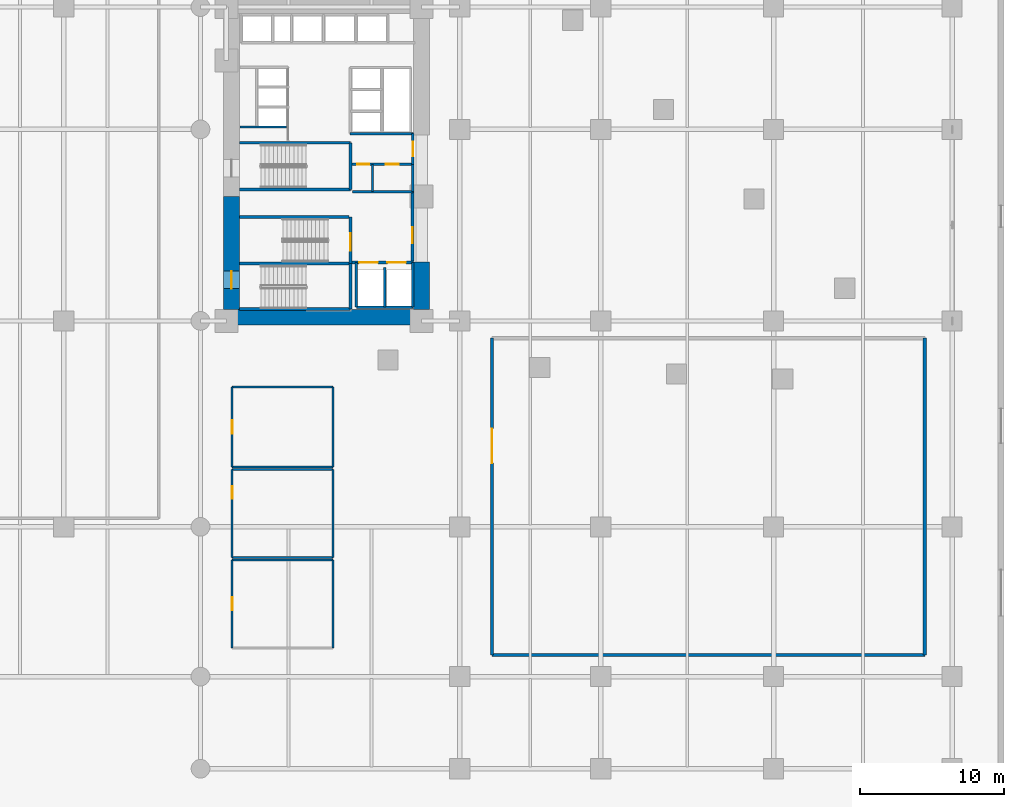
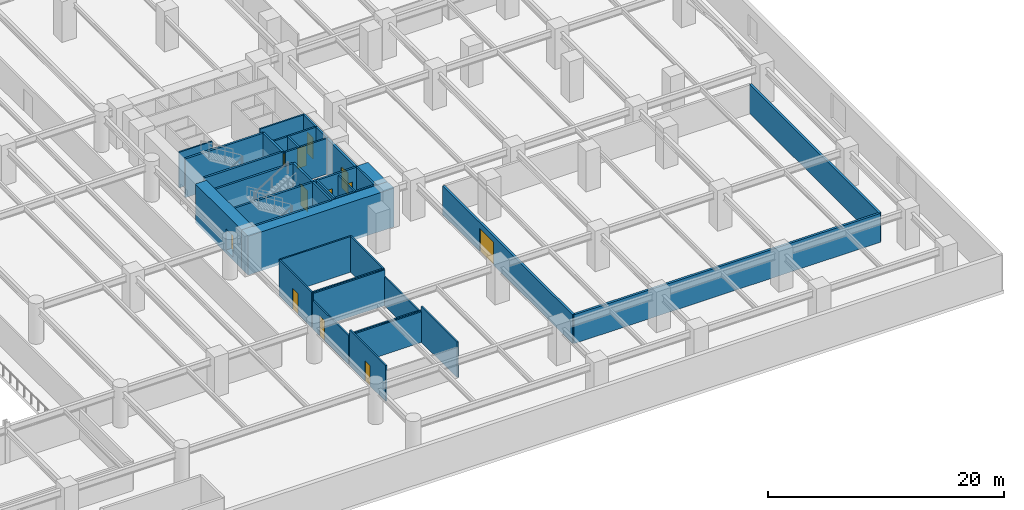
# One storey, part 10 of 20: 38 walls, 12 doors, 12 openings.
"""IFC4 building model written with IfcOpenShell, lengths in metres."""

from ifc_helpers import new_model, si_unit, direction, frame, frame_2d, origin, place, context, subcontext, project, spatial, rectangle, extrude, material, layer, layer_set, type_object, element, fill, save


model = new_model("IFC4")

# Units and contexts
model_context = context("Model", 3, precision=1e-05, world=origin(), true_north=direction((0.0, 1.0)))
body_context = subcontext(model_context, "Body", "Model", "MODEL_VIEW")
ifc_project = project(units=[si_unit("LENGTHUNIT", "METRE"), si_unit("AREAUNIT", "SQUARE_METRE"), si_unit("VOLUMEUNIT", "CUBIC_METRE"), si_unit("PLANEANGLEUNIT", "RADIAN"), si_unit("MASSUNIT", "GRAM", prefix="KILO")], contexts=[model_context])

# Site, building, storey
site_placement = place(None, origin())
site = spatial("IfcSite", under=ifc_project, at=site_placement, CompositionType="ELEMENT")
building_placement = place(site_placement, origin())
building = spatial("IfcBuilding", under=site, at=building_placement, Name="Narakoshi Arena Tower", CompositionType="ELEMENT")
storey_placement = place(building_placement, frame((0.0, 0.0, 17.39990234375)))
storey = spatial("IfcBuildingStorey", under=building, at=storey_placement, Name="L04", CompositionType="ELEMENT", Elevation=17.39990234375)

# Walls
ifc_material_1 = material(Name="Concrete C40/50", Category="concrete")
ifc_layer_1 = layer(ifc_material_1, 0.219970703125)
ifc_layer_set_1 = layer_set([ifc_layer_1], Name="Concrete C40/50")
wall_type_1 = type_object("IfcWallType", Name="WL-COMP-220", PredefinedType="SOLIDWALL", material=ifc_layer_set_1)
wall_1_placement = place(storey_placement, frame((90.449951171875, 11.5, 0.0), z_axis=(0.0, 0.0, 1.0), x_axis=(1.0, 0.0, 0.0)))
element("IfcWall", 1, at=wall_1_placement, inside=storey, type_object=wall_type_1, Name="L04 Keynote Auditorium Hall Wall S", PredefinedType="SOLIDWALL", context=body_context, shape_type="SweptSolid", body=[
    extrude(rectangle(XDim=30.050048828125, YDim=0.219970703125, at=frame_2d((15.02490234375, 0.0))), origin(), (0.0, 0.0, 1.0), 2.985107421875),
])
wall_2_placement = place(storey_placement, frame((120.5, 11.5, 0.0), z_axis=(0.0, 0.0, 1.0), x_axis=(0.0, 1.0, 0.0)))
element("IfcWall", 2, at=wall_2_placement, inside=storey, type_object=wall_type_1, Name="L04 Keynote Auditorium Hall Wall E", PredefinedType="SOLIDWALL", context=body_context, shape_type="SweptSolid", body=[
    extrude(rectangle(XDim=22.0, YDim=0.219970703125, at=frame_2d((11.0, 0.0))), origin(), (0.0, 0.0, 1.0), 2.985107421875),
])

# Wall, opening, door
wall_3_placement = place(storey_placement, frame((90.449951171875, 33.5, 0.0), z_axis=(0.0, 0.0, 1.0), x_axis=(0.0, -1.0, 0.0)))
wall_3 = element("IfcWall", 3, at=wall_3_placement, inside=storey, type_object=wall_type_1, Name="L04 Keynote Auditorium Hall Wall W", PredefinedType="SOLIDWALL", context=body_context, shape_type="SweptSolid", body=[
    extrude(rectangle(XDim=22.0, YDim=0.219970703125, at=frame_2d((11.0, 0.0))), origin(), (0.0, 0.0, 1.0), 2.985107421875),
])
opening_1_placement = place(wall_3_placement, frame((6.27197265625, 0.0, 0.0)))
opening_1 = element("IfcOpeningElement", 4, at=opening_1_placement, cuts=wall_3, Name="Opening D-02", PredefinedType="OPENING", context=body_context, shape_type="SweptSolid", body=[
    extrude(rectangle(XDim=2.39990234375, YDim=2.39990234375, at=frame_2d((1.199951171875, 1.199951171875))), frame((0.0, 0.119873046875, 0.0), z_axis=(0.0, -1.0, 0.0), x_axis=(1.0, 0.0, 0.0)), (0.0, 0.0, 1.0), 0.239990234375),
])
ifc_material_2 = material(Name="Painted galvanized steel", Category="steel")
door_type_1 = type_object("IfcDoorType", Name="DR-ARN-2400", OperationType="DOUBLE_DOOR_SINGLE_SWING", PredefinedType="USERDEFINED", material=ifc_material_2)
door_1_placement = place(opening_1_placement, frame((2.39990234375, 0.0, 0.0), z_axis=(0.0, 0.0, 1.0), x_axis=(-1.0, 0.0, 0.0)))
door_1 = element("IfcDoor", 5, at=door_1_placement, inside=storey, type_object=door_type_1, Name="DR-L04-022", ObjectType="EXITDOOR", OperationType="DOUBLE_DOOR_SINGLE_SWING", OverallHeight=2.39990234375, OverallWidth=2.39990234375, PredefinedType="USERDEFINED", context=body_context, shape_type="SweptSolid", body=[
    extrude(rectangle(XDim=2.39990234375, YDim=2.39990234375, at=frame_2d((1.199951171875, 1.199951171875))), frame((0.0, 0.02490234375, 0.0), z_axis=(0.0, -1.0, 0.0), x_axis=(1.0, 0.0, 0.0)), (0.0, 0.0, 1.0), 0.050048828125),
])
fill(opening_1, door_1)

ifc_material_3 = material(Name="Concrete C60/75", Category="concrete")
ifc_layer_2 = layer(ifc_material_3, 1.10009765625)
ifc_layer_set_2 = layer_set([ifc_layer_2], Name="Concrete C60/75")
wall_type_2 = type_object("IfcWallType", Name="WL-CORE-1100", PredefinedType="SHEAR", material=ifc_layer_set_2)
wall_4_placement = place(storey_placement, frame((72.35009765625, 35.5, -0.31982421875), z_axis=(0.0, 0.0, 1.0), x_axis=(0.0, 1.0, 0.0)))
wall_4 = element("IfcWall", 6, at=wall_4_placement, inside=storey, type_object=wall_type_2, Name="L04 Central Core Shear Wall CW-APX-W", PredefinedType="SHEAR", context=body_context, shape_type="SweptSolid", body=[
    extrude(rectangle(XDim=7.85009765625, YDim=1.10009765625, at=frame_2d((3.925048828125, 0.0))), origin(), (0.0, 0.0, 1.0), 4.02001953125),
])
opening_2_placement = place(wall_4_placement, frame((1.449951171875, 0.0, 0.320068359375)))
opening_2 = element("IfcOpeningElement", 7, at=opening_2_placement, cuts=wall_4, Name="Opening D-03", PredefinedType="OPENING", context=body_context, shape_type="SweptSolid", body=[
    extrude(rectangle(XDim=1.199951171875, YDim=2.199951171875, at=frame_2d((0.60009765625, 1.10009765625))), frame((0.0, 0.56005859375, 0.0), z_axis=(0.0, -1.0, 0.0), x_axis=(1.0, 0.0, 0.0)), (0.0, 0.0, 1.0), 1.1201171875),
])
door_type_2 = type_object("IfcDoorType", Name="DR-STR-1200", OperationType="NOTDEFINED", PredefinedType="USERDEFINED", material=ifc_material_2)
door_2_placement = place(opening_2_placement, frame((1.199951171875, 0.0, 0.0), z_axis=(0.0, 0.0, 1.0), x_axis=(-1.0, 0.0, 0.0)))
door_2 = element("IfcDoor", 8, at=door_2_placement, inside=storey, type_object=door_type_2, Name="DR-L04-001", ObjectType="EXITDOOR", OperationType="SINGLE_SWING_LEFT", OverallHeight=2.199951171875, OverallWidth=1.199951171875, PredefinedType="USERDEFINED", context=body_context, shape_type="SweptSolid", body=[
    extrude(rectangle(XDim=1.199951171875, YDim=2.199951171875, at=frame_2d((0.60009765625, 1.10009765625))), frame((0.0, 0.02490234375, 0.0), z_axis=(0.0, -1.0, 0.0), x_axis=(1.0, 0.0, 0.0)), (0.0, 0.0, 1.0), 0.050048828125),
])
fill(opening_2, door_2)

# Walls
wall_5_placement = place(storey_placement, frame((71.800048828125, 34.949951171875, -0.31982421875), z_axis=(0.0, 0.0, 1.0), x_axis=(1.0, 0.0, 0.0)))
element("IfcWall", 9, at=wall_5_placement, inside=storey, type_object=wall_type_2, Name="L04 Central Core Shear Wall CW-APX-S", PredefinedType="SHEAR", context=body_context, shape_type="SweptSolid", body=[
    extrude(rectangle(XDim=14.300048828125, YDim=1.10009765625, at=frame_2d((7.14990234375, 0.0))), origin(), (0.0, 0.0, 1.0), 4.02001953125),
])
wall_6_placement = place(storey_placement, frame((85.550048828125, 35.5, -0.31982421875), z_axis=(0.0, 0.0, 1.0), x_axis=(0.0, 1.0, 0.0)))
element("IfcWall", 10, at=wall_6_placement, inside=storey, type_object=wall_type_2, Name="L04 Central Core Shear Wall CW-APX-E", PredefinedType="SHEAR", context=body_context, shape_type="SweptSolid", body=[
    extrude(rectangle(XDim=3.300048828125, YDim=1.10009765625, at=frame_2d((1.64990234375, 0.0))), origin(), (0.0, 0.0, 1.0), 4.02001953125),
])

# Wall, opening, door
ifc_material_4 = material(Name="Gypsum plasterboard fire-rated partition")
ifc_layer_3 = layer(ifc_material_4, 0.1650390625)
ifc_layer_set_3 = layer_set([ifc_layer_3], Name="Gypsum plasterboard fire-rated partition")
wall_type_3 = type_object("IfcWallType", Name="WL-CORR-165", PredefinedType="PARTITIONING", material=ifc_layer_set_3)
wall_7_placement = place(storey_placement, frame((84.949951171875, 45.580078125, 0.0), z_axis=(0.0, 0.0, 1.0), x_axis=(0.0, 1.0, 0.0)))
wall_7 = element("IfcWall", 11, at=wall_7_placement, inside=storey, type_object=wall_type_3, Name="L04 Core Wall CPAS-E", PredefinedType="PARTITIONING", context=body_context, shape_type="SweptSolid", body=[
    extrude(rectangle(XDim=2.119873046875, YDim=0.1650390625, at=frame_2d((1.06005859375, 0.0))), origin(), (0.0, 0.0, 1.0), 3.7001953125),
])
opening_3_placement = place(wall_7_placement, frame((0.56005859375, 0.0, 0.0)))
opening_3 = element("IfcOpeningElement", 12, at=opening_3_placement, cuts=wall_7, Name="Opening D-06", PredefinedType="OPENING", context=body_context, shape_type="SweptSolid", body=[
    extrude(rectangle(XDim=1.0, YDim=2.199951171875, at=frame_2d((0.5, 1.10009765625))), frame((0.0, 0.092529296875, 0.0), z_axis=(0.0, -1.0, 0.0), x_axis=(1.0, 0.0, 0.0)), (0.0, 0.0, 1.0), 0.18505859375),
])
ifc_material_5 = material(Name="Stained oak solid-core timber", Category="wood")
door_type_3 = type_object("IfcDoorType", Name="DR-OFF-1000", OperationType="NOTDEFINED", PredefinedType="DOOR", material=ifc_material_5)
door_3_placement = place(opening_3_placement, frame((1.0, 0.0, 0.0), z_axis=(0.0, 0.0, 1.0), x_axis=(-1.0, 0.0, 0.0)))
door_3 = element("IfcDoor", 13, at=door_3_placement, inside=storey, type_object=door_type_3, Name="DR-L04-007", OperationType="SINGLE_SWING_LEFT", OverallHeight=2.199951171875, OverallWidth=1.0, PredefinedType="DOOR", context=body_context, shape_type="SweptSolid", body=[
    extrude(rectangle(XDim=1.0, YDim=2.199951171875, at=frame_2d((0.5, 1.10009765625))), frame((0.0, 0.02490234375, 0.0), z_axis=(0.0, -1.0, 0.0), x_axis=(1.0, 0.0, 0.0)), (0.0, 0.0, 1.0), 0.050048828125),
])
fill(opening_3, door_3)

# Walls
ifc_layer_4 = layer(ifc_material_1, 0.280029296875)
ifc_layer_set_4 = layer_set([ifc_layer_4], Name="Concrete C40/50")
wall_type_4 = type_object("IfcWallType", Name="WL-RISER-280", PredefinedType="PLUMBINGWALL", material=ifc_layer_set_4)
wall_8_placement = place(storey_placement, frame((83.0, 35.64990234375, 0.0), z_axis=(0.0, 0.0, 1.0), x_axis=(0.0, 1.0, 0.0)))
element("IfcWall", 14, at=wall_8_placement, inside=storey, type_object=wall_type_4, Name="L04 Core Wall FF-DIV", PredefinedType="PLUMBINGWALL", context=body_context, shape_type="SweptSolid", body=[
    extrude(rectangle(XDim=2.75, YDim=0.159912109375, at=frame_2d((1.375, 0.0))), origin(), (0.0, 0.0, 1.0), 3.7001953125),
])
wall_9_placement = place(storey_placement, frame((84.949951171875, 43.679931640625, 0.0), z_axis=(0.0, 0.0, 1.0), x_axis=(0.0, 1.0, 0.0)))
element("IfcWall", 15, at=wall_9_placement, inside=storey, type_object=wall_type_4, Name="L04 Core Wall RSR-E", PredefinedType="PLUMBINGWALL", context=body_context, shape_type="SweptSolid", body=[
    extrude(rectangle(XDim=1.900146484375, YDim=0.1650390625, at=frame_2d((0.9501953125, 0.0))), origin(), (0.0, 0.0, 1.0), 3.7001953125),
])

# Wall, openings, doors
wall_10_placement = place(storey_placement, frame((80.719970703125, 45.580078125, 0.0), z_axis=(0.0, 0.0, 1.0), x_axis=(1.0, 0.0, 0.0)))
wall_10 = element("IfcWall", 16, at=wall_10_placement, inside=storey, type_object=wall_type_4, Name="L04 Core Wall RSR-N", PredefinedType="PLUMBINGWALL", context=body_context, shape_type="SweptSolid", body=[
    extrude(rectangle(XDim=4.22998046875, YDim=0.159912109375, at=frame_2d((2.114990234375, 0.0))), origin(), (0.0, 0.0, 1.0), 3.7001953125),
])
opening_4_placement = place(wall_10_placement, frame((0.35009765625, 0.0, 0.0)))
opening_4 = element("IfcOpeningElement", 17, at=opening_4_placement, cuts=wall_10, Name="Opening D-10", PredefinedType="OPENING", context=body_context, shape_type="SweptSolid", body=[
    extrude(rectangle(XDim=0.85009765625, YDim=2.050048828125, at=frame_2d((0.425048828125, 1.02490234375))), frame((0.0, 0.08984375, 0.0), z_axis=(0.0, -1.0, 0.0), x_axis=(1.0, 0.0, 0.0)), (0.0, 0.0, 1.0), 0.179931640625),
])
opening_5_placement = place(wall_10_placement, frame((2.35009765625, 0.0, 0.0)))
opening_5 = element("IfcOpeningElement", 18, at=opening_5_placement, cuts=wall_10, Name="Opening D-08", PredefinedType="OPENING", context=body_context, shape_type="SweptSolid", body=[
    extrude(rectangle(XDim=0.89990234375, YDim=2.10009765625, at=frame_2d((0.449951171875, 1.050048828125))), frame((0.0, 0.08984375, 0.0), z_axis=(0.0, -1.0, 0.0), x_axis=(1.0, 0.0, 0.0)), (0.0, 0.0, 1.0), 0.179931640625),
])
door_type_4 = type_object("IfcDoorType", Name="DR-RSR-850", OperationType="NOTDEFINED", PredefinedType="DOOR", material=ifc_material_2)
door_4_placement = place(opening_4_placement, frame((0.85009765625, 0.0, 0.0), z_axis=(0.0, 0.0, 1.0), x_axis=(-1.0, 0.0, 0.0)))
door_4 = element("IfcDoor", 19, at=door_4_placement, inside=storey, type_object=door_type_4, Name="DR-L04-008", OperationType="SINGLE_SWING_LEFT", OverallHeight=2.050048828125, OverallWidth=0.85009765625, PredefinedType="DOOR", context=body_context, shape_type="SweptSolid", body=[
    extrude(rectangle(XDim=0.85009765625, YDim=2.050048828125, at=frame_2d((0.425048828125, 1.02490234375))), frame((0.0, 0.02490234375, 0.0), z_axis=(0.0, -1.0, 0.0), x_axis=(1.0, 0.0, 0.0)), (0.0, 0.0, 1.0), 0.050048828125),
])
fill(opening_4, door_4)
ifc_material_6 = material(Name="Moisture-resistant laminate timber", Category="wood")
door_type_5 = type_object("IfcDoorType", Name="DR-WC-900", OperationType="NOTDEFINED", PredefinedType="DOOR", material=ifc_material_6)
door_5_placement = place(opening_5_placement, frame((0.89990234375, 0.0, 0.0), z_axis=(0.0, 0.0, 1.0), x_axis=(-1.0, 0.0, 0.0)))
door_5 = element("IfcDoor", 20, at=door_5_placement, inside=storey, type_object=door_type_5, Name="DR-L04-009", OperationType="SINGLE_SWING_RIGHT", OverallHeight=2.10009765625, OverallWidth=0.89990234375, PredefinedType="DOOR", context=body_context, shape_type="SweptSolid", body=[
    extrude(rectangle(XDim=0.89990234375, YDim=2.10009765625, at=frame_2d((0.449951171875, 1.050048828125))), frame((0.0, 0.02490234375, 0.0), z_axis=(0.0, -1.0, 0.0), x_axis=(1.0, 0.0, 0.0)), (0.0, 0.0, 1.0), 0.050048828125),
])
fill(opening_5, door_5)

# Walls
wall_11_placement = place(storey_placement, frame((80.760009765625, 43.679931640625, 0.0), z_axis=(0.0, 0.0, 1.0), x_axis=(1.0, 0.0, 0.0)))
element("IfcWall", 21, at=wall_11_placement, inside=storey, type_object=wall_type_4, Name="L04 Core Wall RSR-S", PredefinedType="PLUMBINGWALL", context=body_context, shape_type="SweptSolid", body=[
    extrude(rectangle(XDim=4.18994140625, YDim=0.159912109375, at=frame_2d((2.094970703125, 0.0))), origin(), (0.0, 0.0, 1.0), 3.7001953125),
])
wall_12_placement = place(storey_placement, frame((82.14990234375, 43.679931640625, 0.0), z_axis=(0.0, 0.0, 1.0), x_axis=(0.0, 1.0, 0.0)))
element("IfcWall", 22, at=wall_12_placement, inside=storey, type_object=wall_type_4, Name="L04 Core Wall RSR-M", PredefinedType="PLUMBINGWALL", context=body_context, shape_type="SweptSolid", body=[
    extrude(rectangle(XDim=1.900146484375, YDim=0.159912109375, at=frame_2d((0.9501953125, 0.0))), origin(), (0.0, 0.0, 1.0), 3.7001953125),
])
wall_13_placement = place(storey_placement, frame((72.949951171875, 48.159912109375, 0.0), z_axis=(0.0, 0.0, 1.0), x_axis=(1.0, 0.0, 0.0)))
element("IfcWall", 23, at=wall_13_placement, inside=storey, type_object=wall_type_4, Name="L04 Core Wall LR-S0", PredefinedType="PLUMBINGWALL", context=body_context, shape_type="SweptSolid", body=[
    extrude(rectangle(XDim=3.239990234375, YDim=0.139892578125, at=frame_2d((1.6201171875, 0.0))), origin(), (0.0, 0.0, 1.0), 3.7001953125),
])
ifc_material_7 = material(Name="Concrete C50/60", Category="concrete")
ifc_layer_5 = layer(ifc_material_7, 0.35009765625)
ifc_layer_set_5 = layer_set([ifc_layer_5], Name="Concrete C50/60")
wall_type_5 = type_object("IfcWallType", Name="WL-SHAFT-350", PredefinedType="SOLIDWALL", material=ifc_layer_set_5)
for number, where, z_axis, x_axis, name in (
    (24, (72.919921875, 35.52001953125, -0.31982421875), (0.0, 0.0, 1.0), (1.0, 0.0, 0.0), "L04 Core Wall ST1-S"),
    (25, (72.919921875, 38.675048828125, -0.31982421875), (0.0, 0.0, 1.0), (1.0, 0.0, 0.0), "L04 Core Wall ST12-DIV"),
):
    element("IfcWall", number, at=place(storey_placement, frame(where, z_axis=z_axis, x_axis=x_axis)), inside=storey, type_object=wall_type_5, Name=name, PredefinedType="SOLIDWALL", context=body_context, shape_type="SweptSolid", body=[
        extrude(rectangle(XDim=7.7001953125, YDim=0.199951171875, at=frame_2d((3.85009765625, 0.0))), origin(), (0.0, 0.0, 1.0), 4.02001953125),
    ])
wall_14_placement = place(storey_placement, frame((80.6201171875, 35.52001953125, -0.31982421875), z_axis=(0.0, 0.0, 1.0), x_axis=(0.0, 1.0, 0.0)))
element("IfcWall", 26, at=wall_14_placement, inside=storey, type_object=wall_type_5, Name="L04 Core Wall ST1-E", PredefinedType="SOLIDWALL", context=body_context, shape_type="SweptSolid", body=[
    extrude(rectangle(XDim=3.155029296875, YDim=0.199951171875, at=frame_2d((1.57763671875, 0.0))), origin(), (0.0, 0.0, 1.0), 4.02001953125),
])

# Wall, opening, door
wall_15_placement = place(storey_placement, frame((80.6201171875, 38.675048828125, -0.31982421875), z_axis=(0.0, 0.0, 1.0), x_axis=(0.0, 1.0, 0.0)))
wall_15 = element("IfcWall", 27, at=wall_15_placement, inside=storey, type_object=wall_type_5, Name="L04 Core Wall ST2-E", PredefinedType="SOLIDWALL", context=body_context, shape_type="SweptSolid", body=[
    extrude(rectangle(XDim=3.244873046875, YDim=0.199951171875, at=frame_2d((1.62255859375, 0.0))), origin(), (0.0, 0.0, 1.0), 4.02001953125),
])
opening_6_placement = place(wall_15_placement, frame((0.89990234375, 0.0, 0.320068359375)))
opening_6 = element("IfcOpeningElement", 28, at=opening_6_placement, cuts=wall_15, Name="Opening D-03", PredefinedType="OPENING", context=body_context, shape_type="SweptSolid", body=[
    extrude(rectangle(XDim=1.199951171875, YDim=2.199951171875, at=frame_2d((0.60009765625, 1.10009765625))), frame((0.0, 0.10986328125, 0.0), z_axis=(0.0, -1.0, 0.0), x_axis=(1.0, 0.0, 0.0)), (0.0, 0.0, 1.0), 0.219970703125),
])
door_6_placement = place(opening_6_placement, origin())
door_6 = element("IfcDoor", 29, at=door_6_placement, inside=storey, type_object=door_type_2, Name="DR-L04-002", ObjectType="EXITDOOR", OperationType="SINGLE_SWING_RIGHT", OverallHeight=2.199951171875, OverallWidth=1.199951171875, PredefinedType="USERDEFINED", context=body_context, shape_type="SweptSolid", body=[
    extrude(rectangle(XDim=1.199951171875, YDim=2.199951171875, at=frame_2d((0.60009765625, 1.10009765625))), frame((0.0, 0.02490234375, 0.0), z_axis=(0.0, -1.0, 0.0), x_axis=(1.0, 0.0, 0.0)), (0.0, 0.0, 1.0), 0.050048828125),
])
fill(opening_6, door_6)

# Wall, openings, doors
wall_16_placement = place(storey_placement, frame((80.719970703125, 38.75, 0.0), z_axis=(0.0, 0.0, 1.0), x_axis=(1.0, 0.0, 0.0)))
wall_16 = element("IfcWall", 30, at=wall_16_placement, inside=storey, type_object=wall_type_5, Name="L04 Core Wall FF-N", PredefinedType="SOLIDWALL", context=body_context, shape_type="SweptSolid", body=[
    extrude(rectangle(XDim=4.260009765625, YDim=0.199951171875, at=frame_2d((2.1298828125, 0.0))), origin(), (0.0, 0.0, 1.0), 3.7001953125),
])
opening_7_placement = place(wall_16_placement, frame((0.5, 0.0, 0.0)))
opening_7 = element("IfcOpeningElement", 31, at=opening_7_placement, cuts=wall_16, Name="Opening LD-02", PredefinedType="OPENING", context=body_context, shape_type="SweptSolid", body=[
    extrude(rectangle(XDim=1.300048828125, YDim=2.300048828125, at=frame_2d((0.64990234375, 1.14990234375))), frame((0.0, 0.10986328125, 0.0), z_axis=(0.0, -1.0, 0.0), x_axis=(1.0, 0.0, 0.0)), (0.0, 0.0, 1.0), 0.219970703125),
])
opening_8_placement = place(wall_16_placement, frame((2.449951171875, 0.0, 0.0)))
opening_8 = element("IfcOpeningElement", 32, at=opening_8_placement, cuts=wall_16, Name="Opening LD-02", PredefinedType="OPENING", context=body_context, shape_type="SweptSolid", body=[
    extrude(rectangle(XDim=1.300048828125, YDim=2.300048828125, at=frame_2d((0.64990234375, 1.14990234375))), frame((0.0, 0.10986328125, 0.0), z_axis=(0.0, -1.0, 0.0), x_axis=(1.0, 0.0, 0.0)), (0.0, 0.0, 1.0), 0.219970703125),
])
ifc_material_8 = material(Name="Brushed bronze stainless steel", Category="steel")
door_type_6 = type_object("IfcDoorType", Name="DR-LFT-1300", OperationType="DOUBLE_DOOR_SLIDING", PredefinedType="DOOR", material=ifc_material_8)
door_7_placement = place(opening_7_placement, origin())
door_7 = element("IfcDoor", 33, at=door_7_placement, inside=storey, type_object=door_type_6, Name="DR-L04-003", OperationType="DOUBLE_DOOR_SLIDING", OverallHeight=2.300048828125, OverallWidth=1.300048828125, PredefinedType="DOOR", context=body_context, shape_type="SweptSolid", body=[
    extrude(rectangle(XDim=1.300048828125, YDim=2.300048828125, at=frame_2d((0.64990234375, 1.14990234375))), frame((0.0, 0.02490234375, 0.0), z_axis=(0.0, -1.0, 0.0), x_axis=(1.0, 0.0, 0.0)), (0.0, 0.0, 1.0), 0.050048828125),
])
fill(opening_7, door_7)
door_8_placement = place(opening_8_placement, origin())
door_8 = element("IfcDoor", 34, at=door_8_placement, inside=storey, type_object=door_type_6, Name="DR-L04-004", OperationType="DOUBLE_DOOR_SLIDING", OverallHeight=2.300048828125, OverallWidth=1.300048828125, PredefinedType="DOOR", context=body_context, shape_type="SweptSolid", body=[
    extrude(rectangle(XDim=1.300048828125, YDim=2.300048828125, at=frame_2d((0.64990234375, 1.14990234375))), frame((0.0, 0.02490234375, 0.0), z_axis=(0.0, -1.0, 0.0), x_axis=(1.0, 0.0, 0.0)), (0.0, 0.0, 1.0), 0.050048828125),
])
fill(opening_8, door_8)

# Walls
for number, where, z_axis, x_axis, name in (
    (35, (84.949951171875, 35.64990234375, 0.0), (0.0, 0.0, 1.0), (0.0, 1.0, 0.0), "L04 Core Wall FF-E"),
    (36, (81.02001953125, 35.64990234375, 0.0), (0.0, 0.0, 1.0), (0.0, 1.0, 0.0), "L04 Core Wall FF-W"),
):
    element("IfcWall", number, at=place(storey_placement, frame(where, z_axis=z_axis, x_axis=x_axis)), inside=storey, type_object=wall_type_5, Name=name, PredefinedType="SOLIDWALL", context=body_context, shape_type="SweptSolid", body=[
        extrude(rectangle(XDim=3.10009765625, YDim=0.179931640625, at=frame_2d((1.550048828125, 0.0))), origin(), (0.0, 0.0, 1.0), 3.7001953125),
    ])
wall_17_placement = place(storey_placement, frame((81.02001953125, 35.64990234375, 0.0), z_axis=(0.0, 0.0, 1.0), x_axis=(1.0, 0.0, 0.0)))
element("IfcWall", 37, at=wall_17_placement, inside=storey, type_object=wall_type_5, Name="L04 Core Wall FF-S", PredefinedType="SOLIDWALL", context=body_context, shape_type="SweptSolid", body=[
    extrude(rectangle(XDim=3.929931640625, YDim=0.179931640625, at=frame_2d((1.96484375, 0.0))), origin(), (0.0, 0.0, 1.0), 3.7001953125),
])

# Wall, opening, door
wall_18_placement = place(storey_placement, frame((84.919921875, 38.85009765625, 0.0), z_axis=(0.0, 0.0, 1.0), x_axis=(0.0, 1.0, 0.0)))
wall_18 = element("IfcWall", 38, at=wall_18_placement, inside=storey, type_object=wall_type_5, Name="L04 Core Wall FFLOB-E", PredefinedType="SOLIDWALL", context=body_context, shape_type="SweptSolid", body=[
    extrude(rectangle(XDim=4.829833984375, YDim=0.199951171875, at=frame_2d((2.4150390625, 0.0))), origin(), (0.0, 0.0, 1.0), 3.7001953125),
])
opening_9_placement = place(wall_18_placement, frame((1.25, 0.0, 0.0)))
opening_9 = element("IfcOpeningElement", 39, at=opening_9_placement, cuts=wall_18, Name="Opening D-04", PredefinedType="OPENING", context=body_context, shape_type="SweptSolid", body=[
    extrude(rectangle(XDim=1.10009765625, YDim=2.199951171875, at=frame_2d((0.550048828125, 1.10009765625))), frame((0.0, 0.10986328125, 0.0), z_axis=(0.0, -1.0, 0.0), x_axis=(1.0, 0.0, 0.0)), (0.0, 0.0, 1.0), 0.219970703125),
])
door_type_7 = type_object("IfcDoorType", Name="DR-FFL-1100", OperationType="NOTDEFINED", PredefinedType="DOOR", material=ifc_material_2)
door_9_placement = place(opening_9_placement, frame((1.10009765625, 0.0, 0.0), z_axis=(0.0, 0.0, 1.0), x_axis=(-1.0, 0.0, 0.0)))
door_9 = element("IfcDoor", 40, at=door_9_placement, inside=storey, type_object=door_type_7, Name="DR-L04-005", OperationType="SINGLE_SWING_RIGHT", OverallHeight=2.199951171875, OverallWidth=1.10009765625, PredefinedType="DOOR", context=body_context, shape_type="SweptSolid", body=[
    extrude(rectangle(XDim=1.10009765625, YDim=2.199951171875, at=frame_2d((0.550048828125, 1.10009765625))), frame((0.0, 0.02490234375, 0.0), z_axis=(0.0, -1.0, 0.0), x_axis=(1.0, 0.0, 0.0)), (0.0, 0.0, 1.0), 0.050048828125),
])
fill(opening_9, door_9)

# Walls
wall_19_placement = place(storey_placement, frame((72.919921875, 41.919921875, -0.31982421875), z_axis=(0.0, 0.0, 1.0), x_axis=(1.0, 0.0, 0.0)))
element("IfcWall", 41, at=wall_19_placement, inside=storey, type_object=wall_type_5, Name="L04 Core Wall ST2-N", PredefinedType="SOLIDWALL", context=body_context, shape_type="SweptSolid", body=[
    extrude(rectangle(XDim=7.580078125, YDim=0.199951171875, at=frame_2d((3.7900390625, 0.0))), origin(), (0.0, 0.0, 1.0), 4.02001953125),
])
for number, where, z_axis, x_axis, name in (
    (42, (72.919921875, 43.830078125, -0.31982421875), (0.0, 0.0, 1.0), (1.0, 0.0, 0.0), "L04 Core Wall ST3-S"),
    (43, (72.919921875, 47.070068359375, -0.31982421875), (0.0, 0.0, 1.0), (1.0, 0.0, 0.0), "L04 Core Wall ST3-N"),
):
    element("IfcWall", number, at=place(storey_placement, frame(where, z_axis=z_axis, x_axis=x_axis)), inside=storey, type_object=wall_type_5, Name=name, PredefinedType="SOLIDWALL", context=body_context, shape_type="SweptSolid", body=[
        extrude(rectangle(XDim=7.7001953125, YDim=0.199951171875, at=frame_2d((3.85009765625, 0.0))), origin(), (0.0, 0.0, 1.0), 4.02001953125),
    ])
wall_20_placement = place(storey_placement, frame((80.6201171875, 43.830078125, -0.31982421875), z_axis=(0.0, 0.0, 1.0), x_axis=(0.0, 1.0, 0.0)))
element("IfcWall", 44, at=wall_20_placement, inside=storey, type_object=wall_type_5, Name="L04 Core Wall ST3-E", PredefinedType="SOLIDWALL", context=body_context, shape_type="SweptSolid", body=[
    extrude(rectangle(XDim=3.239990234375, YDim=0.199951171875, at=frame_2d((1.6201171875, 0.0))), origin(), (0.0, 0.0, 1.0), 4.02001953125),
])
wall_21_placement = place(storey_placement, frame((80.60009765625, 47.699951171875, 0.0), z_axis=(0.0, 0.0, 1.0), x_axis=(1.0, 0.0, 0.0)))
element("IfcWall", 45, at=wall_21_placement, inside=storey, type_object=wall_type_5, Name="L04 Core Wall MR-S", PredefinedType="SOLIDWALL", context=body_context, shape_type="SweptSolid", body=[
    extrude(rectangle(XDim=4.39990234375, YDim=0.159912109375, at=frame_2d((2.199951171875, 0.0))), origin(), (0.0, 0.0, 1.0), 3.7001953125),
])
ifc_material_9 = material(Name="Moisture-resistant cement-board partition")
ifc_layer_6 = layer(ifc_material_9, 0.14501953125)
ifc_layer_set_6 = layer_set([ifc_layer_6], Name="Moisture-resistant cement-board partition")
wall_type_6 = type_object("IfcWallType", Name="WL-WET-145", PredefinedType="PARTITIONING", material=ifc_layer_set_6)
wall_22_placement = place(storey_placement, frame((79.39990234375, 12.0, 0.0), z_axis=(0.0, 0.0, 1.0), x_axis=(0.0, 1.0, 0.0)))
element("IfcWall", 46, at=wall_22_placement, inside=storey, type_object=wall_type_6, Name="L04 Level L04 Male Restroom WC Wall E", PredefinedType="PARTITIONING", context=body_context, shape_type="SweptSolid", body=[
    extrude(rectangle(XDim=6.10009765625, YDim=0.14501953125, at=frame_2d((3.050048828125, 0.0))), origin(), (0.0, 0.0, 1.0), 3.7001953125),
])
wall_23_placement = place(storey_placement, frame((79.39990234375, 18.10009765625, 0.0), z_axis=(0.0, 0.0, 1.0), x_axis=(-1.0, 0.0, 0.0)))
element("IfcWall", 47, at=wall_23_placement, inside=storey, type_object=wall_type_6, Name="L04 Level L04 Male Restroom WC Wall N", PredefinedType="PARTITIONING", context=body_context, shape_type="SweptSolid", body=[
    extrude(rectangle(XDim=7.0, YDim=0.14501953125, at=frame_2d((3.5, 0.0))), origin(), (0.0, 0.0, 1.0), 3.18505859375),
])

# Wall, opening, door
wall_24_placement = place(storey_placement, frame((72.39990234375, 18.10009765625, 0.0), z_axis=(0.0, 0.0, 1.0), x_axis=(0.0, -1.0, 0.0)))
wall_24 = element("IfcWall", 48, at=wall_24_placement, inside=storey, type_object=wall_type_6, Name="L04 Level L04 Male Restroom WC Wall W", PredefinedType="PARTITIONING", context=body_context, shape_type="SweptSolid", body=[
    extrude(rectangle(XDim=6.10009765625, YDim=0.14501953125, at=frame_2d((3.050048828125, 0.0))), origin(), (0.0, 0.0, 1.0), 3.7001953125),
])
opening_10_placement = place(wall_24_placement, frame((2.60009765625, 0.0, 0.0)))
opening_10 = element("IfcOpeningElement", 49, at=opening_10_placement, cuts=wall_24, Name="Opening D-08", PredefinedType="OPENING", context=body_context, shape_type="SweptSolid", body=[
    extrude(rectangle(XDim=0.89990234375, YDim=2.10009765625, at=frame_2d((0.449951171875, 1.050048828125))), frame((0.0, 0.08251953125, 0.0), z_axis=(0.0, -1.0, 0.0), x_axis=(1.0, 0.0, 0.0)), (0.0, 0.0, 1.0), 0.1650390625),
])
door_10_placement = place(opening_10_placement, frame((0.89990234375, 0.0, 0.0), z_axis=(0.0, 0.0, 1.0), x_axis=(-1.0, 0.0, 0.0)))
door_10 = element("IfcDoor", 50, at=door_10_placement, inside=storey, type_object=door_type_5, Name="DR-L04-028", OperationType="SINGLE_SWING_LEFT", OverallHeight=2.10009765625, OverallWidth=0.89990234375, PredefinedType="DOOR", context=body_context, shape_type="SweptSolid", body=[
    extrude(rectangle(XDim=0.89990234375, YDim=2.10009765625, at=frame_2d((0.449951171875, 1.050048828125))), frame((0.0, 0.02490234375, 0.0), z_axis=(0.0, -1.0, 0.0), x_axis=(1.0, 0.0, 0.0)), (0.0, 0.0, 1.0), 0.050048828125),
])
fill(opening_10, door_10)

# Walls
wall_25_placement = place(storey_placement, frame((72.39990234375, 18.280029296875, 0.0), z_axis=(0.0, 0.0, 1.0), x_axis=(1.0, 0.0, 0.0)))
element("IfcWall", 51, at=wall_25_placement, inside=storey, type_object=wall_type_6, Name="L04 Level L04 Female Restroom WC Wall S", PredefinedType="PARTITIONING", context=body_context, shape_type="SweptSolid", body=[
    extrude(rectangle(XDim=7.0, YDim=0.14501953125, at=frame_2d((3.5, 0.0))), origin(), (0.0, 0.0, 1.0), 3.18505859375),
])
wall_26_placement = place(storey_placement, frame((79.39990234375, 18.280029296875, 0.0), z_axis=(0.0, 0.0, 1.0), x_axis=(0.0, 1.0, 0.0)))
element("IfcWall", 52, at=wall_26_placement, inside=storey, type_object=wall_type_6, Name="L04 Level L04 Female Restroom WC Wall E", PredefinedType="PARTITIONING", context=body_context, shape_type="SweptSolid", body=[
    extrude(rectangle(XDim=6.099853515625, YDim=0.14501953125, at=frame_2d((3.0498046875, 0.0))), origin(), (0.0, 0.0, 1.0), 2.985107421875),
])
wall_27_placement = place(storey_placement, frame((79.39990234375, 24.3798828125, 0.0), z_axis=(0.0, 0.0, 1.0), x_axis=(-1.0, 0.0, 0.0)))
element("IfcWall", 53, at=wall_27_placement, inside=storey, type_object=wall_type_6, Name="L04 Level L04 Female Restroom WC Wall N", PredefinedType="PARTITIONING", context=body_context, shape_type="SweptSolid", body=[
    extrude(rectangle(XDim=7.0, YDim=0.14501953125, at=frame_2d((3.5, 0.0))), origin(), (0.0, 0.0, 1.0), 3.7001953125),
])

# Wall, opening, door
wall_28_placement = place(storey_placement, frame((72.39990234375, 24.3798828125, 0.0), z_axis=(0.0, 0.0, 1.0), x_axis=(0.0, -1.0, 0.0)))
wall_28 = element("IfcWall", 54, at=wall_28_placement, inside=storey, type_object=wall_type_6, Name="L04 Level L04 Female Restroom WC Wall W", PredefinedType="PARTITIONING", context=body_context, shape_type="SweptSolid", body=[
    extrude(rectangle(XDim=6.099853515625, YDim=0.14501953125, at=frame_2d((3.0498046875, 0.0))), origin(), (0.0, 0.0, 1.0), 2.985107421875),
])
opening_11_placement = place(wall_28_placement, frame((1.14404296875, 0.0, 0.0)))
opening_11 = element("IfcOpeningElement", 55, at=opening_11_placement, cuts=wall_28, Name="Opening D-08", PredefinedType="OPENING", context=body_context, shape_type="SweptSolid", body=[
    extrude(rectangle(XDim=0.89990234375, YDim=2.10009765625, at=frame_2d((0.449951171875, 1.050048828125))), frame((0.0, 0.08251953125, 0.0), z_axis=(0.0, -1.0, 0.0), x_axis=(1.0, 0.0, 0.0)), (0.0, 0.0, 1.0), 0.1650390625),
])
door_11_placement = place(opening_11_placement, frame((0.89990234375, 0.0, 0.0), z_axis=(0.0, 0.0, 1.0), x_axis=(-1.0, 0.0, 0.0)))
door_11 = element("IfcDoor", 56, at=door_11_placement, inside=storey, type_object=door_type_5, Name="DR-L04-029", OperationType="SINGLE_SWING_RIGHT", OverallHeight=2.10009765625, OverallWidth=0.89990234375, PredefinedType="DOOR", context=body_context, shape_type="SweptSolid", body=[
    extrude(rectangle(XDim=0.89990234375, YDim=2.10009765625, at=frame_2d((0.449951171875, 1.050048828125))), frame((0.0, 0.02490234375, 0.0), z_axis=(0.0, -1.0, 0.0), x_axis=(1.0, 0.0, 0.0)), (0.0, 0.0, 1.0), 0.050048828125),
])
fill(opening_11, door_11)

# Walls
wall_29_placement = place(storey_placement, frame((72.39990234375, 24.56005859375, 0.0), z_axis=(0.0, 0.0, 1.0), x_axis=(1.0, 0.0, 0.0)))
element("IfcWall", 57, at=wall_29_placement, inside=storey, type_object=wall_type_6, Name="L04 Level L04 Accessible Restroom WC Wall S", PredefinedType="PARTITIONING", context=body_context, shape_type="SweptSolid", body=[
    extrude(rectangle(XDim=7.0, YDim=0.14501953125, at=frame_2d((3.5, 0.0))), origin(), (0.0, 0.0, 1.0), 3.7001953125),
])
wall_30_placement = place(storey_placement, frame((79.39990234375, 24.56005859375, 0.0), z_axis=(0.0, 0.0, 1.0), x_axis=(0.0, 1.0, 0.0)))
element("IfcWall", 58, at=wall_30_placement, inside=storey, type_object=wall_type_6, Name="L04 Level L04 Accessible Restroom WC Wall E", PredefinedType="PARTITIONING", context=body_context, shape_type="SweptSolid", body=[
    extrude(rectangle(XDim=5.5400390625, YDim=0.14501953125, at=frame_2d((2.77001953125, 0.0))), origin(), (0.0, 0.0, 1.0), 3.7001953125),
])
wall_31_placement = place(storey_placement, frame((79.39990234375, 30.10009765625, 0.0), z_axis=(0.0, 0.0, 1.0), x_axis=(-1.0, 0.0, 0.0)))
element("IfcWall", 59, at=wall_31_placement, inside=storey, type_object=wall_type_6, Name="L04 Level L04 Accessible Restroom WC Wall N", PredefinedType="PARTITIONING", context=body_context, shape_type="SweptSolid", body=[
    extrude(rectangle(XDim=7.0, YDim=0.14501953125, at=frame_2d((3.5, 0.0))), origin(), (0.0, 0.0, 1.0), 3.7001953125),
])

# Wall, opening, door
wall_32_placement = place(storey_placement, frame((72.39990234375, 30.10009765625, 0.0), z_axis=(0.0, 0.0, 1.0), x_axis=(0.0, -1.0, 0.0)))
wall_32 = element("IfcWall", 60, at=wall_32_placement, inside=storey, type_object=wall_type_6, Name="L04 Level L04 Accessible Restroom WC Wall W", PredefinedType="PARTITIONING", context=body_context, shape_type="SweptSolid", body=[
    extrude(rectangle(XDim=5.5400390625, YDim=0.14501953125, at=frame_2d((2.77001953125, 0.0))), origin(), (0.0, 0.0, 1.0), 3.7001953125),
])
opening_12_placement = place(wall_32_placement, frame((2.294921875, 0.0, 0.0)))
opening_12 = element("IfcOpeningElement", 61, at=opening_12_placement, cuts=wall_32, Name="Opening D-07", PredefinedType="OPENING", context=body_context, shape_type="SweptSolid", body=[
    extrude(rectangle(XDim=0.949951171875, YDim=2.14990234375, at=frame_2d((0.47509765625, 1.074951171875))), frame((0.0, 0.08251953125, 0.0), z_axis=(0.0, -1.0, 0.0), x_axis=(1.0, 0.0, 0.0)), (0.0, 0.0, 1.0), 0.1650390625),
])
door_type_8 = type_object("IfcDoorType", Name="DR-ACC-950", OperationType="NOTDEFINED", PredefinedType="DOOR", material=ifc_material_5)
door_12_placement = place(opening_12_placement, frame((0.949951171875, 0.0, 0.0), z_axis=(0.0, 0.0, 1.0), x_axis=(-1.0, 0.0, 0.0)))
door_12 = element("IfcDoor", 62, at=door_12_placement, inside=storey, type_object=door_type_8, Name="DR-L04-030", OperationType="SINGLE_SWING_LEFT", OverallHeight=2.14990234375, OverallWidth=0.949951171875, PredefinedType="DOOR", context=body_context, shape_type="SweptSolid", body=[
    extrude(rectangle(XDim=0.949951171875, YDim=2.14990234375, at=frame_2d((0.47509765625, 1.074951171875))), frame((0.0, 0.02490234375, 0.0), z_axis=(0.0, -1.0, 0.0), x_axis=(1.0, 0.0, 0.0)), (0.0, 0.0, 1.0), 0.050048828125),
])
fill(opening_12, door_12)

save(model, "model.ifc")
